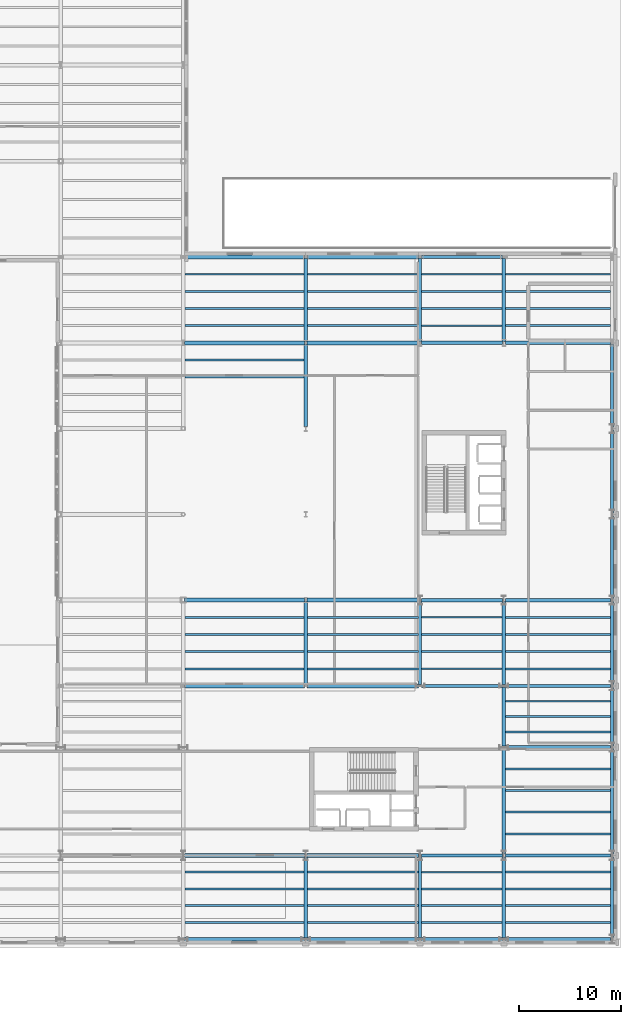
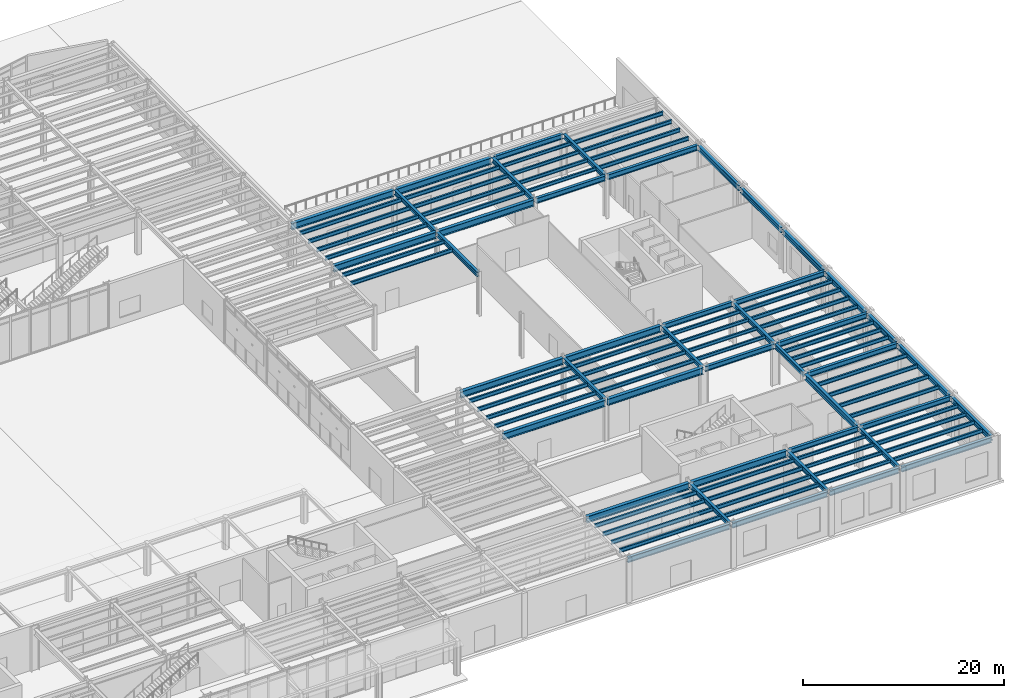
# One storey, part 60 of 94: 100 beams.
"""IFC4 building model written with IfcOpenShell, lengths in metres."""

from ifc_helpers import new_model, si_unit, direction, frame, origin, origin_2d, place, context, subcontext, project, spatial, i_section, extrude, material, material_profile, profile_set, type_object, element, save


model = new_model("IFC4")

# Units and contexts
model_context = context("Model", 3, precision=1e-05, world=origin(), true_north=direction((0.0, 1.0)))
body_context = subcontext(model_context, "Body", "Model", "MODEL_VIEW")
ifc_project = project(units=[si_unit("LENGTHUNIT", "METRE"), si_unit("AREAUNIT", "SQUARE_METRE"), si_unit("VOLUMEUNIT", "CUBIC_METRE"), si_unit("PLANEANGLEUNIT", "RADIAN"), si_unit("MASSUNIT", "GRAM", prefix="KILO")], contexts=[model_context])

# Site, building, storey
site_placement = place(None, origin())
site = spatial("IfcSite", under=ifc_project, at=site_placement, CompositionType="ELEMENT")
building_placement = place(site_placement, origin())
building = spatial("IfcBuilding", under=site, at=building_placement, Name="Sollismere Congress Hotel", CompositionType="ELEMENT")
storey_placement = place(building_placement, origin())
storey = spatial("IfcBuildingStorey", under=building, at=storey_placement, Name="L00", CompositionType="ELEMENT", Elevation=0.0)

# Beams
ifc_material = material(Name="Steel ASTM A992 Grade 50", Category="steel")
ifc_material_profile_1 = material_profile(ifc_material, i_section(OverallWidth=0.31494140625, OverallDepth=0.551025390625, WebThickness=0.01513671875, FlangeThickness=0.0244140625, at=origin_2d()), Name="W21X122")
ifc_profile_set_1 = profile_set([ifc_material_profile_1], Name="Steel ASTM A992 Grade 50")
beam_type_1 = type_object("IfcBeamType", Name="BM-G21H", PredefinedType="BEAM", material=ifc_profile_set_1)
beam_1_placement = place(storey_placement, frame((136.0, 0.139892578125, 4.839599609375), z_axis=(0.0, 1.0, 0.0), x_axis=(-1.0, 0.0, 0.0)))
element("IfcBeam", 1, at=beam_1_placement, inside=storey, type_object=beam_type_1, Name="Beam BM-L00-1297", PredefinedType="BEAM", context=body_context, shape_type="SweptSolid", body=[
    extrude(i_section(OverallWidth=0.31494140625, OverallDepth=0.551025390625, WebThickness=0.01513671875, FlangeThickness=0.0244140625, at=origin_2d()), origin(), (0.0, 0.0, 1.0), 7.920166015625),
])
for number, where, z_axis, x_axis, name in (
    (2, (136.0, 24.93994140625, 4.839599609375), (0.0, 1.0, 0.0), (-1.0, 0.0, 0.0), "Beam BM-L00-1298"),
    (3, (136.0, 50.139892578125, 4.839599609375), (0.0, 1.0, 0.0), (-1.0, 0.0, 0.0), "Beam BM-L00-1299"),
):
    element("IfcBeam", number, at=place(storey_placement, frame(where, z_axis=z_axis, x_axis=x_axis)), inside=storey, type_object=beam_type_1, Name=name, PredefinedType="BEAM", context=body_context, shape_type="SweptSolid", body=[
        extrude(i_section(OverallWidth=0.31494140625, OverallDepth=0.551025390625, WebThickness=0.01513671875, FlangeThickness=0.0244140625, at=origin_2d()), origin(), (0.0, 0.0, 1.0), 8.1201171875),
    ])
beam_2_placement = place(storey_placement, frame((136.0, 58.5400390625, 4.839599609375), z_axis=(0.0, 1.0, 0.0), x_axis=(-1.0, 0.0, 0.0)))
element("IfcBeam", 4, at=beam_2_placement, inside=storey, type_object=beam_type_1, Name="Beam BM-L00-1300", PredefinedType="BEAM", context=body_context, shape_type="SweptSolid", body=[
    extrude(i_section(OverallWidth=0.31494140625, OverallDepth=0.551025390625, WebThickness=0.01513671875, FlangeThickness=0.0244140625, at=origin_2d()), origin(), (0.0, 0.0, 1.0), 8.119873046875),
])
beam_3_placement = place(storey_placement, frame((147.199951171875, 0.139892578125, 4.839599609375), z_axis=(0.0, 1.0, 0.0), x_axis=(-1.0, 0.0, 0.0)))
element("IfcBeam", 5, at=beam_3_placement, inside=storey, type_object=beam_type_1, Name="Beam BM-L00-1301", PredefinedType="BEAM", context=body_context, shape_type="SweptSolid", body=[
    extrude(i_section(OverallWidth=0.31494140625, OverallDepth=0.551025390625, WebThickness=0.01513671875, FlangeThickness=0.0244140625, at=origin_2d()), origin(), (0.0, 0.0, 1.0), 7.920166015625),
])
beam_4_placement = place(storey_placement, frame((147.199951171875, 24.93994140625, 4.839599609375), z_axis=(0.0, 1.0, 0.0), x_axis=(-1.0, 0.0, 0.0)))
element("IfcBeam", 6, at=beam_4_placement, inside=storey, type_object=beam_type_1, Name="Beam BM-L00-1302", PredefinedType="BEAM", context=body_context, shape_type="SweptSolid", body=[
    extrude(i_section(OverallWidth=0.31494140625, OverallDepth=0.551025390625, WebThickness=0.01513671875, FlangeThickness=0.0244140625, at=origin_2d()), origin(), (0.0, 0.0, 1.0), 8.1201171875),
])
beam_5_placement = place(storey_placement, frame((147.199951171875, 58.5400390625, 4.839599609375), z_axis=(0.0, 1.0, 0.0), x_axis=(-1.0, 0.0, 0.0)))
element("IfcBeam", 7, at=beam_5_placement, inside=storey, type_object=beam_type_1, Name="Beam BM-L00-1303", PredefinedType="BEAM", context=body_context, shape_type="SweptSolid", body=[
    extrude(i_section(OverallWidth=0.31494140625, OverallDepth=0.551025390625, WebThickness=0.01513671875, FlangeThickness=0.0244140625, at=origin_2d()), origin(), (0.0, 0.0, 1.0), 8.119873046875),
])
beam_6_placement = place(storey_placement, frame((155.39990234375, 0.139892578125, 4.839599609375), z_axis=(0.0, 1.0, 0.0), x_axis=(-1.0, 0.0, 0.0)))
element("IfcBeam", 8, at=beam_6_placement, inside=storey, type_object=beam_type_1, Name="Beam BM-L00-1304", PredefinedType="BEAM", context=body_context, shape_type="SweptSolid", body=[
    extrude(i_section(OverallWidth=0.31494140625, OverallDepth=0.551025390625, WebThickness=0.01513671875, FlangeThickness=0.0244140625, at=origin_2d()), origin(), (0.0, 0.0, 1.0), 7.920166015625),
])
beam_7_placement = place(storey_placement, frame((155.39990234375, 18.93994140625, 4.839599609375), z_axis=(0.0, 1.0, 0.0), x_axis=(-1.0, 0.0, 0.0)))
element("IfcBeam", 9, at=beam_7_placement, inside=storey, type_object=beam_type_1, Name="Beam BM-L00-1306", PredefinedType="BEAM", context=body_context, shape_type="SweptSolid", body=[
    extrude(i_section(OverallWidth=0.31494140625, OverallDepth=0.551025390625, WebThickness=0.01513671875, FlangeThickness=0.0244140625, at=origin_2d()), origin(), (0.0, 0.0, 1.0), 5.719970703125),
])
beam_8_placement = place(storey_placement, frame((155.39990234375, 24.93994140625, 4.839599609375), z_axis=(0.0, 1.0, 0.0), x_axis=(-1.0, 0.0, 0.0)))
element("IfcBeam", 10, at=beam_8_placement, inside=storey, type_object=beam_type_1, Name="Beam BM-L00-1307", PredefinedType="BEAM", context=body_context, shape_type="SweptSolid", body=[
    extrude(i_section(OverallWidth=0.31494140625, OverallDepth=0.551025390625, WebThickness=0.01513671875, FlangeThickness=0.0244140625, at=origin_2d()), origin(), (0.0, 0.0, 1.0), 8.1201171875),
])
beam_9_placement = place(storey_placement, frame((155.39990234375, 58.5400390625, 4.839599609375), z_axis=(0.0, 1.0, 0.0), x_axis=(-1.0, 0.0, 0.0)))
element("IfcBeam", 11, at=beam_9_placement, inside=storey, type_object=beam_type_1, Name="Beam BM-L00-1308", PredefinedType="BEAM", context=body_context, shape_type="SweptSolid", body=[
    extrude(i_section(OverallWidth=0.31494140625, OverallDepth=0.551025390625, WebThickness=0.01513671875, FlangeThickness=0.0244140625, at=origin_2d()), origin(), (0.0, 0.0, 1.0), 8.119873046875),
])
ifc_material_profile_2 = material_profile(ifc_material, i_section(OverallWidth=0.324951171875, OverallDepth=0.612060546875, WebThickness=0.0126953125, FlangeThickness=0.01904296875, at=origin_2d()), Name="W24X104")
ifc_profile_set_2 = profile_set([ifc_material_profile_2], Name="Steel ASTM A992 Grade 50")
beam_type_2 = type_object("IfcBeamType", Name="BM-G24", PredefinedType="BEAM", material=ifc_profile_set_2)
beam_10_placement = place(storey_placement, frame((147.340087890625, 8.199951171875, 4.80908203125), z_axis=(1.0, 0.0, 0.0), x_axis=(0.0, 1.0, 0.0)))
element("IfcBeam", 12, at=beam_10_placement, inside=storey, type_object=beam_type_2, Name="Beam BM-L00-1150", PredefinedType="BEAM", context=body_context, shape_type="SweptSolid", body=[
    extrude(i_section(OverallWidth=0.324951171875, OverallDepth=0.612060546875, WebThickness=0.0126953125, FlangeThickness=0.01904296875, at=origin_2d()), origin(), (0.0, 0.0, 1.0), 7.919921875),
])
for number, where, z_axis, x_axis, name in (
    (13, (155.5400390625, 8.199951171875, 4.80908203125), (1.0, 0.0, 0.0), (0.0, 1.0, 0.0), "Beam BM-L00-1151"),
    (14, (155.5400390625, 18.800048828125, 4.80908203125), (1.0, 0.0, 0.0), (0.0, 1.0, 0.0), "Beam BM-L00-1156"),
):
    element("IfcBeam", number, at=place(storey_placement, frame(where, z_axis=z_axis, x_axis=x_axis)), inside=storey, type_object=beam_type_2, Name=name, PredefinedType="BEAM", context=body_context, shape_type="SweptSolid", body=[
        extrude(i_section(OverallWidth=0.324951171875, OverallDepth=0.612060546875, WebThickness=0.0126953125, FlangeThickness=0.01904296875, at=origin_2d()), origin(), (0.0, 0.0, 1.0), 10.320068359375),
    ])
beam_11_placement = place(storey_placement, frame((147.340087890625, 24.800048828125, 4.80908203125), z_axis=(1.0, 0.0, 0.0), x_axis=(0.0, 1.0, 0.0)))
element("IfcBeam", 15, at=beam_11_placement, inside=storey, type_object=beam_type_2, Name="Beam BM-L00-1163", PredefinedType="BEAM", context=body_context, shape_type="SweptSolid", body=[
    extrude(i_section(OverallWidth=0.324951171875, OverallDepth=0.612060546875, WebThickness=0.0126953125, FlangeThickness=0.01904296875, at=origin_2d()), origin(), (0.0, 0.0, 1.0), 7.919921875),
])
beam_12_placement = place(storey_placement, frame((155.5400390625, 24.800048828125, 4.80908203125), z_axis=(1.0, 0.0, 0.0), x_axis=(0.0, 1.0, 0.0)))
element("IfcBeam", 16, at=beam_12_placement, inside=storey, type_object=beam_type_2, Name="Beam BM-L00-1164", PredefinedType="BEAM", context=body_context, shape_type="SweptSolid", body=[
    extrude(i_section(OverallWidth=0.324951171875, OverallDepth=0.612060546875, WebThickness=0.0126953125, FlangeThickness=0.01904296875, at=origin_2d()), origin(), (0.0, 0.0, 1.0), 10.320068359375),
])
beam_13_placement = place(storey_placement, frame((147.340087890625, 33.199951171875, 4.80908203125), z_axis=(1.0, 0.0, 0.0), x_axis=(0.0, 1.0, 0.0)))
element("IfcBeam", 17, at=beam_13_placement, inside=storey, type_object=beam_type_2, Name="Beam BM-L00-1171", PredefinedType="BEAM", context=body_context, shape_type="SweptSolid", body=[
    extrude(i_section(OverallWidth=0.324951171875, OverallDepth=0.612060546875, WebThickness=0.0126953125, FlangeThickness=0.01904296875, at=origin_2d()), origin(), (0.0, 0.0, 1.0), 7.919921875),
])
beam_14_placement = place(storey_placement, frame((155.5400390625, 33.199951171875, 4.80908203125), z_axis=(1.0, 0.0, 0.0), x_axis=(0.0, 1.0, 0.0)))
element("IfcBeam", 18, at=beam_14_placement, inside=storey, type_object=beam_type_2, Name="Beam BM-L00-1172", PredefinedType="BEAM", context=body_context, shape_type="SweptSolid", body=[
    extrude(i_section(OverallWidth=0.324951171875, OverallDepth=0.612060546875, WebThickness=0.0126953125, FlangeThickness=0.01904296875, at=origin_2d()), origin(), (0.0, 0.0, 1.0), 10.320068359375),
])
beam_15_placement = place(storey_placement, frame((147.340087890625, 58.39990234375, 4.80908203125), z_axis=(1.0, 0.0, 0.0), x_axis=(0.0, 1.0, 0.0)))
element("IfcBeam", 19, at=beam_15_placement, inside=storey, type_object=beam_type_2, Name="Beam BM-L00-1185", PredefinedType="BEAM", context=body_context, shape_type="SweptSolid", body=[
    extrude(i_section(OverallWidth=0.324951171875, OverallDepth=0.612060546875, WebThickness=0.0126953125, FlangeThickness=0.01904296875, at=origin_2d()), origin(), (0.0, 0.0, 1.0), 7.919921875),
])
beam_16_placement = place(storey_placement, frame((155.5400390625, 58.39990234375, 4.80908203125), z_axis=(1.0, 0.0, 0.0), x_axis=(0.0, 1.0, 0.0)))
element("IfcBeam", 20, at=beam_16_placement, inside=storey, type_object=beam_type_2, Name="Beam BM-L00-1186", PredefinedType="BEAM", context=body_context, shape_type="SweptSolid", body=[
    extrude(i_section(OverallWidth=0.324951171875, OverallDepth=0.612060546875, WebThickness=0.0126953125, FlangeThickness=0.01904296875, at=origin_2d()), origin(), (0.0, 0.0, 1.0), 10.320068359375),
])
beam_17_placement = place(storey_placement, frame((147.340087890625, 66.800048828125, 4.80908203125), z_axis=(1.0, 0.0, 0.0), x_axis=(0.0, 1.0, 0.0)))
element("IfcBeam", 21, at=beam_17_placement, inside=storey, type_object=beam_type_2, Name="Beam BM-L00-1198", PredefinedType="BEAM", context=body_context, shape_type="SweptSolid", body=[
    extrude(i_section(OverallWidth=0.324951171875, OverallDepth=0.612060546875, WebThickness=0.0126953125, FlangeThickness=0.01904296875, at=origin_2d()), origin(), (0.0, 0.0, 1.0), 7.919921875),
])
ifc_material_profile_3 = material_profile(ifc_material, i_section(OverallWidth=0.35595703125, OverallDepth=0.696044921875, WebThickness=0.015380859375, FlangeThickness=0.025146484375, at=origin_2d()), Name="W27X146")
ifc_profile_set_3 = profile_set([ifc_material_profile_3], Name="Steel ASTM A992 Grade 50")
beam_type_3 = type_object("IfcBeamType", Name="BM-G27", PredefinedType="BEAM", material=ifc_profile_set_3)
beam_18_placement = place(storey_placement, frame((155.39990234375, 8.340087890625, 4.76708984375), z_axis=(0.0, 1.0, 0.0), x_axis=(-1.0, 0.0, 0.0)))
element("IfcBeam", 22, at=beam_18_placement, inside=storey, type_object=beam_type_3, Name="Beam BM-L00-1305", PredefinedType="BEAM", context=body_context, shape_type="SweptSolid", body=[
    extrude(i_section(OverallWidth=0.35595703125, OverallDepth=0.696044921875, WebThickness=0.015380859375, FlangeThickness=0.025146484375, at=origin_2d()), origin(), (0.0, 0.0, 1.0), 10.31982421875),
])
ifc_material_profile_4 = material_profile(ifc_material, i_section(OverallWidth=0.384033203125, OverallDepth=0.787109375, WebThickness=0.019775390625, FlangeThickness=0.033447265625, at=origin_2d()), Name="W30X211")
ifc_profile_set_4 = profile_set([ifc_material_profile_4], Name="Steel ASTM A992 Grade 50")
beam_type_4 = type_object("IfcBeamType", Name="BM-G30", PredefinedType="BEAM", material=ifc_profile_set_4)
beam_19_placement = place(storey_placement, frame((124.139892578125, 8.199951171875, 4.721435546875), z_axis=(1.0, 0.0, 0.0), x_axis=(0.0, 1.0, 0.0)))
element("IfcBeam", 23, at=beam_19_placement, inside=storey, type_object=beam_type_4, Name="Beam BM-L00-1148", PredefinedType="BEAM", context=body_context, shape_type="SweptSolid", body=[
    extrude(i_section(OverallWidth=0.384033203125, OverallDepth=0.787109375, WebThickness=0.019775390625, FlangeThickness=0.033447265625, at=origin_2d()), origin(), (0.0, 0.0, 1.0), 11.72021484375),
])
beam_20_placement = place(storey_placement, frame((136.139892578125, 8.199951171875, 4.721435546875), z_axis=(1.0, 0.0, 0.0), x_axis=(0.0, 1.0, 0.0)))
element("IfcBeam", 24, at=beam_20_placement, inside=storey, type_object=beam_type_4, Name="Beam BM-L00-1149", PredefinedType="BEAM", context=body_context, shape_type="SweptSolid", body=[
    extrude(i_section(OverallWidth=0.384033203125, OverallDepth=0.787109375, WebThickness=0.019775390625, FlangeThickness=0.033447265625, at=origin_2d()), origin(), (0.0, 0.0, 1.0), 10.920166015625),
])
beam_21_placement = place(storey_placement, frame((124.139892578125, 24.800048828125, 4.721435546875), z_axis=(1.0, 0.0, 0.0), x_axis=(0.0, 1.0, 0.0)))
element("IfcBeam", 25, at=beam_21_placement, inside=storey, type_object=beam_type_4, Name="Beam BM-L00-1161", PredefinedType="BEAM", context=body_context, shape_type="SweptSolid", body=[
    extrude(i_section(OverallWidth=0.384033203125, OverallDepth=0.787109375, WebThickness=0.019775390625, FlangeThickness=0.033447265625, at=origin_2d()), origin(), (0.0, 0.0, 1.0), 11.72021484375),
])
beam_22_placement = place(storey_placement, frame((136.139892578125, 24.800048828125, 4.721435546875), z_axis=(1.0, 0.0, 0.0), x_axis=(0.0, 1.0, 0.0)))
element("IfcBeam", 26, at=beam_22_placement, inside=storey, type_object=beam_type_4, Name="Beam BM-L00-1162", PredefinedType="BEAM", context=body_context, shape_type="SweptSolid", body=[
    extrude(i_section(OverallWidth=0.384033203125, OverallDepth=0.787109375, WebThickness=0.019775390625, FlangeThickness=0.033447265625, at=origin_2d()), origin(), (0.0, 0.0, 1.0), 10.920166015625),
])
beam_23_placement = place(storey_placement, frame((124.139892578125, 33.199951171875, 4.721435546875), z_axis=(1.0, 0.0, 0.0), x_axis=(0.0, 1.0, 0.0)))
element("IfcBeam", 27, at=beam_23_placement, inside=storey, type_object=beam_type_4, Name="Beam BM-L00-1169", PredefinedType="BEAM", context=body_context, shape_type="SweptSolid", body=[
    extrude(i_section(OverallWidth=0.384033203125, OverallDepth=0.787109375, WebThickness=0.019775390625, FlangeThickness=0.033447265625, at=origin_2d()), origin(), (0.0, 0.0, 1.0), 11.72021484375),
])
beam_24_placement = place(storey_placement, frame((136.139892578125, 33.199951171875, 4.721435546875), z_axis=(1.0, 0.0, 0.0), x_axis=(0.0, 1.0, 0.0)))
element("IfcBeam", 28, at=beam_24_placement, inside=storey, type_object=beam_type_4, Name="Beam BM-L00-1170", PredefinedType="BEAM", context=body_context, shape_type="SweptSolid", body=[
    extrude(i_section(OverallWidth=0.384033203125, OverallDepth=0.787109375, WebThickness=0.019775390625, FlangeThickness=0.033447265625, at=origin_2d()), origin(), (0.0, 0.0, 1.0), 10.920166015625),
])
beam_25_placement = place(storey_placement, frame((124.139892578125, 58.39990234375, 4.721435546875), z_axis=(1.0, 0.0, 0.0), x_axis=(0.0, 1.0, 0.0)))
element("IfcBeam", 29, at=beam_25_placement, inside=storey, type_object=beam_type_4, Name="Beam BM-L00-1183", PredefinedType="BEAM", context=body_context, shape_type="SweptSolid", body=[
    extrude(i_section(OverallWidth=0.384033203125, OverallDepth=0.787109375, WebThickness=0.019775390625, FlangeThickness=0.033447265625, at=origin_2d()), origin(), (0.0, 0.0, 1.0), 11.72021484375),
])
beam_26_placement = place(storey_placement, frame((136.139892578125, 58.39990234375, 4.721435546875), z_axis=(1.0, 0.0, 0.0), x_axis=(0.0, 1.0, 0.0)))
element("IfcBeam", 30, at=beam_26_placement, inside=storey, type_object=beam_type_4, Name="Beam BM-L00-1184", PredefinedType="BEAM", context=body_context, shape_type="SweptSolid", body=[
    extrude(i_section(OverallWidth=0.384033203125, OverallDepth=0.787109375, WebThickness=0.019775390625, FlangeThickness=0.033447265625, at=origin_2d()), origin(), (0.0, 0.0, 1.0), 10.920166015625),
])
beam_27_placement = place(storey_placement, frame((124.139892578125, 66.800048828125, 4.721435546875), z_axis=(1.0, 0.0, 0.0), x_axis=(0.0, 1.0, 0.0)))
element("IfcBeam", 31, at=beam_27_placement, inside=storey, type_object=beam_type_4, Name="Beam BM-L00-1196", PredefinedType="BEAM", context=body_context, shape_type="SweptSolid", body=[
    extrude(i_section(OverallWidth=0.384033203125, OverallDepth=0.787109375, WebThickness=0.019775390625, FlangeThickness=0.033447265625, at=origin_2d()), origin(), (0.0, 0.0, 1.0), 11.72021484375),
])
beam_28_placement = place(storey_placement, frame((136.139892578125, 66.800048828125, 4.721435546875), z_axis=(1.0, 0.0, 0.0), x_axis=(0.0, 1.0, 0.0)))
element("IfcBeam", 32, at=beam_28_placement, inside=storey, type_object=beam_type_4, Name="Beam BM-L00-1197", PredefinedType="BEAM", context=body_context, shape_type="SweptSolid", body=[
    extrude(i_section(OverallWidth=0.384033203125, OverallDepth=0.787109375, WebThickness=0.019775390625, FlangeThickness=0.033447265625, at=origin_2d()), origin(), (0.0, 0.0, 1.0), 10.920166015625),
])
ifc_material_profile_5 = material_profile(ifc_material, i_section(OverallWidth=0.180908203125, OverallDepth=0.4169921875, WebThickness=0.010986328125, FlangeThickness=0.018310546875, at=origin_2d()), Name="W16X57")
ifc_profile_set_5 = profile_set([ifc_material_profile_5], Name="Steel ASTM A992 Grade 50")
beam_type_5 = type_object("IfcBeamType", Name="BM-J16", PredefinedType="JOIST", material=ifc_profile_set_5)
for number, where, z_axis, x_axis, name in (
    (33, (147.357421875, 1.639892578125, 4.906494140625), (1.0, 0.0, 0.0), (0.0, 1.0, 0.0), "Beam BM-L00-1491"),
    (34, (147.357421875, 3.280029296875, 4.906494140625), (1.0, 0.0, 0.0), (0.0, 1.0, 0.0), "Beam BM-L00-1492"),
    (35, (147.357421875, 4.919921875, 4.906494140625), (1.0, 0.0, 0.0), (0.0, 1.0, 0.0), "Beam BM-L00-1493"),
    (36, (147.357421875, 6.56005859375, 4.906494140625), (1.0, 0.0, 0.0), (0.0, 1.0, 0.0), "Beam BM-L00-1494"),
    (37, (147.357421875, 26.47998046875, 4.906494140625), (1.0, 0.0, 0.0), (0.0, 1.0, 0.0), "Beam BM-L00-1495"),
    (38, (147.357421875, 28.159912109375, 4.906494140625), (1.0, 0.0, 0.0), (0.0, 1.0, 0.0), "Beam BM-L00-1496"),
    (39, (147.357421875, 29.840087890625, 4.906494140625), (1.0, 0.0, 0.0), (0.0, 1.0, 0.0), "Beam BM-L00-1497"),
    (40, (147.357421875, 31.52001953125, 4.906494140625), (1.0, 0.0, 0.0), (0.0, 1.0, 0.0), "Beam BM-L00-1498"),
    (41, (147.357421875, 60.080078125, 4.906494140625), (1.0, 0.0, 0.0), (0.0, 1.0, 0.0), "Beam BM-L00-1499"),
    (42, (147.357421875, 61.760009765625, 4.906494140625), (1.0, 0.0, 0.0), (0.0, 1.0, 0.0), "Beam BM-L00-1500"),
    (43, (147.357421875, 63.43994140625, 4.906494140625), (1.0, 0.0, 0.0), (0.0, 1.0, 0.0), "Beam BM-L00-1501"),
    (44, (147.357421875, 65.1201171875, 4.906494140625), (1.0, 0.0, 0.0), (0.0, 1.0, 0.0), "Beam BM-L00-1502"),
):
    element("IfcBeam", number, at=place(storey_placement, frame(where, z_axis=z_axis, x_axis=x_axis)), inside=storey, type_object=beam_type_5, Name=name, PredefinedType="JOIST", context=body_context, shape_type="SweptSolid", body=[
        extrude(i_section(OverallWidth=0.180908203125, OverallDepth=0.4169921875, WebThickness=0.010986328125, FlangeThickness=0.018310546875, at=origin_2d()), origin(), (0.0, 0.0, 1.0), 7.885009765625),
    ])
ifc_material_profile_6 = material_profile(ifc_material, i_section(OverallWidth=0.193115234375, OverallDepth=0.467041015625, WebThickness=0.011474609375, FlangeThickness=0.01904296875, at=origin_2d()), Name="W18X65")
ifc_profile_set_6 = profile_set([ifc_material_profile_6], Name="Steel ASTM A992 Grade 50")
beam_type_6 = type_object("IfcBeamType", Name="BM-J18", PredefinedType="JOIST", material=ifc_profile_set_6)
for number, where, z_axis, x_axis, name in (
    (45, (124.157470703125, 1.639892578125, 4.881591796875), (1.0, 0.0, 0.0), (0.0, 1.0, 0.0), "Beam BM-L00-1465"),
    (46, (124.157470703125, 3.280029296875, 4.881591796875), (1.0, 0.0, 0.0), (0.0, 1.0, 0.0), "Beam BM-L00-1466"),
    (47, (124.157470703125, 4.919921875, 4.881591796875), (1.0, 0.0, 0.0), (0.0, 1.0, 0.0), "Beam BM-L00-1467"),
    (48, (124.157470703125, 6.56005859375, 4.881591796875), (1.0, 0.0, 0.0), (0.0, 1.0, 0.0), "Beam BM-L00-1468"),
    (49, (124.157470703125, 26.47998046875, 4.881591796875), (1.0, 0.0, 0.0), (0.0, 1.0, 0.0), "Beam BM-L00-1469"),
    (50, (124.157470703125, 28.159912109375, 4.881591796875), (1.0, 0.0, 0.0), (0.0, 1.0, 0.0), "Beam BM-L00-1470"),
    (51, (124.157470703125, 29.840087890625, 4.881591796875), (1.0, 0.0, 0.0), (0.0, 1.0, 0.0), "Beam BM-L00-1471"),
    (52, (124.157470703125, 31.52001953125, 4.881591796875), (1.0, 0.0, 0.0), (0.0, 1.0, 0.0), "Beam BM-L00-1472"),
    (53, (124.157470703125, 55.0400390625, 4.881591796875), (1.0, 0.0, 0.0), (0.0, 1.0, 0.0), "Beam BM-L00-1473"),
    (54, (124.157470703125, 56.719970703125, 4.881591796875), (1.0, 0.0, 0.0), (0.0, 1.0, 0.0), "Beam BM-L00-1474"),
    (55, (124.157470703125, 60.080078125, 4.881591796875), (1.0, 0.0, 0.0), (0.0, 1.0, 0.0), "Beam BM-L00-1475"),
    (56, (124.157470703125, 61.760009765625, 4.881591796875), (1.0, 0.0, 0.0), (0.0, 1.0, 0.0), "Beam BM-L00-1476"),
    (57, (124.157470703125, 63.43994140625, 4.881591796875), (1.0, 0.0, 0.0), (0.0, 1.0, 0.0), "Beam BM-L00-1477"),
    (58, (124.157470703125, 65.1201171875, 4.881591796875), (1.0, 0.0, 0.0), (0.0, 1.0, 0.0), "Beam BM-L00-1478"),
):
    element("IfcBeam", number, at=place(storey_placement, frame(where, z_axis=z_axis, x_axis=x_axis)), inside=storey, type_object=beam_type_6, Name=name, PredefinedType="JOIST", context=body_context, shape_type="SweptSolid", body=[
        extrude(i_section(OverallWidth=0.193115234375, OverallDepth=0.467041015625, WebThickness=0.011474609375, FlangeThickness=0.01904296875, at=origin_2d()), origin(), (0.0, 0.0, 1.0), 11.68505859375),
    ])
for number, where, z_axis, x_axis, name in (
    (59, (136.157470703125, 1.639892578125, 4.881591796875), (1.0, 0.0, 0.0), (0.0, 1.0, 0.0), "Beam BM-L00-1479"),
    (60, (136.157470703125, 3.280029296875, 4.881591796875), (1.0, 0.0, 0.0), (0.0, 1.0, 0.0), "Beam BM-L00-1480"),
    (61, (136.157470703125, 4.919921875, 4.881591796875), (1.0, 0.0, 0.0), (0.0, 1.0, 0.0), "Beam BM-L00-1481"),
    (62, (136.157470703125, 6.56005859375, 4.881591796875), (1.0, 0.0, 0.0), (0.0, 1.0, 0.0), "Beam BM-L00-1482"),
    (63, (136.157470703125, 26.47998046875, 4.881591796875), (1.0, 0.0, 0.0), (0.0, 1.0, 0.0), "Beam BM-L00-1483"),
    (64, (136.157470703125, 28.159912109375, 4.881591796875), (1.0, 0.0, 0.0), (0.0, 1.0, 0.0), "Beam BM-L00-1484"),
    (65, (136.157470703125, 29.840087890625, 4.881591796875), (1.0, 0.0, 0.0), (0.0, 1.0, 0.0), "Beam BM-L00-1485"),
    (66, (136.157470703125, 31.52001953125, 4.881591796875), (1.0, 0.0, 0.0), (0.0, 1.0, 0.0), "Beam BM-L00-1486"),
    (67, (136.157470703125, 60.080078125, 4.881591796875), (1.0, 0.0, 0.0), (0.0, 1.0, 0.0), "Beam BM-L00-1487"),
    (68, (136.157470703125, 61.760009765625, 4.881591796875), (1.0, 0.0, 0.0), (0.0, 1.0, 0.0), "Beam BM-L00-1488"),
    (69, (136.157470703125, 63.43994140625, 4.881591796875), (1.0, 0.0, 0.0), (0.0, 1.0, 0.0), "Beam BM-L00-1489"),
    (70, (136.157470703125, 65.1201171875, 4.881591796875), (1.0, 0.0, 0.0), (0.0, 1.0, 0.0), "Beam BM-L00-1490"),
):
    element("IfcBeam", number, at=place(storey_placement, frame(where, z_axis=z_axis, x_axis=x_axis)), inside=storey, type_object=beam_type_6, Name=name, PredefinedType="JOIST", context=body_context, shape_type="SweptSolid", body=[
        extrude(i_section(OverallWidth=0.193115234375, OverallDepth=0.467041015625, WebThickness=0.011474609375, FlangeThickness=0.01904296875, at=origin_2d()), origin(), (0.0, 0.0, 1.0), 10.885009765625),
    ])
for number, where, z_axis, x_axis, name in (
    (71, (155.5576171875, 1.639892578125, 4.881591796875), (1.0, 0.0, 0.0), (0.0, 1.0, 0.0), "Beam BM-L00-1503"),
    (72, (155.5576171875, 3.280029296875, 4.881591796875), (1.0, 0.0, 0.0), (0.0, 1.0, 0.0), "Beam BM-L00-1504"),
    (73, (155.5576171875, 4.919921875, 4.881591796875), (1.0, 0.0, 0.0), (0.0, 1.0, 0.0), "Beam BM-L00-1505"),
    (74, (155.5576171875, 6.56005859375, 4.881591796875), (1.0, 0.0, 0.0), (0.0, 1.0, 0.0), "Beam BM-L00-1506"),
):
    element("IfcBeam", number, at=place(storey_placement, frame(where, z_axis=z_axis, x_axis=x_axis)), inside=storey, type_object=beam_type_6, Name=name, PredefinedType="JOIST", context=body_context, shape_type="SweptSolid", body=[
        extrude(i_section(OverallWidth=0.193115234375, OverallDepth=0.467041015625, WebThickness=0.011474609375, FlangeThickness=0.01904296875, at=origin_2d()), origin(), (0.0, 0.0, 1.0), 10.27734375),
    ])
for number, where, z_axis, x_axis, name in (
    (75, (155.577880859375, 10.320068359375, 4.881591796875), (1.0, 0.0, 0.0), (0.0, 1.0, 0.0), "Beam BM-L00-1507"),
    (76, (155.577880859375, 12.43994140625, 4.881591796875), (1.0, 0.0, 0.0), (0.0, 1.0, 0.0), "Beam BM-L00-1508"),
    (77, (155.577880859375, 14.56005859375, 4.881591796875), (1.0, 0.0, 0.0), (0.0, 1.0, 0.0), "Beam BM-L00-1509"),
    (78, (155.577880859375, 16.679931640625, 4.881591796875), (1.0, 0.0, 0.0), (0.0, 1.0, 0.0), "Beam BM-L00-1510"),
):
    element("IfcBeam", number, at=place(storey_placement, frame(where, z_axis=z_axis, x_axis=x_axis)), inside=storey, type_object=beam_type_6, Name=name, PredefinedType="JOIST", context=body_context, shape_type="SweptSolid", body=[
        extrude(i_section(OverallWidth=0.193115234375, OverallDepth=0.467041015625, WebThickness=0.011474609375, FlangeThickness=0.01904296875, at=origin_2d()), origin(), (0.0, 0.0, 1.0), 10.257080078125),
    ])
for number, where, z_axis, x_axis, name in (
    (79, (155.5576171875, 20.300048828125, 4.881591796875), (1.0, 0.0, 0.0), (0.0, 1.0, 0.0), "Beam BM-L00-1511"),
    (80, (155.5576171875, 21.800048828125, 4.881591796875), (1.0, 0.0, 0.0), (0.0, 1.0, 0.0), "Beam BM-L00-1512"),
    (81, (155.5576171875, 23.300048828125, 4.881591796875), (1.0, 0.0, 0.0), (0.0, 1.0, 0.0), "Beam BM-L00-1513"),
    (82, (155.5576171875, 26.47998046875, 4.881591796875), (1.0, 0.0, 0.0), (0.0, 1.0, 0.0), "Beam BM-L00-1514"),
    (83, (155.5576171875, 28.159912109375, 4.881591796875), (1.0, 0.0, 0.0), (0.0, 1.0, 0.0), "Beam BM-L00-1515"),
    (84, (155.5576171875, 29.840087890625, 4.881591796875), (1.0, 0.0, 0.0), (0.0, 1.0, 0.0), "Beam BM-L00-1516"),
    (85, (155.5576171875, 31.52001953125, 4.881591796875), (1.0, 0.0, 0.0), (0.0, 1.0, 0.0), "Beam BM-L00-1517"),
    (86, (155.5576171875, 60.080078125, 4.881591796875), (1.0, 0.0, 0.0), (0.0, 1.0, 0.0), "Beam BM-L00-1518"),
    (87, (155.5576171875, 61.760009765625, 4.881591796875), (1.0, 0.0, 0.0), (0.0, 1.0, 0.0), "Beam BM-L00-1519"),
    (88, (155.5576171875, 63.43994140625, 4.881591796875), (1.0, 0.0, 0.0), (0.0, 1.0, 0.0), "Beam BM-L00-1520"),
    (89, (155.5576171875, 65.1201171875, 4.881591796875), (1.0, 0.0, 0.0), (0.0, 1.0, 0.0), "Beam BM-L00-1521"),
):
    element("IfcBeam", number, at=place(storey_placement, frame(where, z_axis=z_axis, x_axis=x_axis)), inside=storey, type_object=beam_type_6, Name=name, PredefinedType="JOIST", context=body_context, shape_type="SweptSolid", body=[
        extrude(i_section(OverallWidth=0.193115234375, OverallDepth=0.467041015625, WebThickness=0.011474609375, FlangeThickness=0.01904296875, at=origin_2d()), origin(), (0.0, 0.0, 1.0), 10.27734375),
    ])
ifc_material_profile_7 = material_profile(ifc_material, i_section(OverallWidth=0.330078125, OverallDepth=0.635009765625, WebThickness=0.017822265625, FlangeThickness=0.031005859375, at=origin_2d()), Name="W24X162")
ifc_profile_set_7 = profile_set([ifc_material_profile_7], Name="Steel ASTM A992 Grade 50")
beam_type_7 = type_object("IfcBeamType", Name="BM-SP24E", PredefinedType="SPANDREL", material=ifc_profile_set_7)
beam_29_placement = place(storey_placement, frame((124.139892578125, 0.0, 4.797607421875), z_axis=(1.0, 0.0, 0.0), x_axis=(0.0, 1.0, 0.0)))
element("IfcBeam", 90, at=beam_29_placement, inside=storey, type_object=beam_type_7, Name="Beam BM-L00-1134", PredefinedType="SPANDREL", context=body_context, shape_type="SweptSolid", body=[
    extrude(i_section(OverallWidth=0.330078125, OverallDepth=0.635009765625, WebThickness=0.017822265625, FlangeThickness=0.031005859375, at=origin_2d()), origin(), (0.0, 0.0, 1.0), 11.72021484375),
])
beam_30_placement = place(storey_placement, frame((136.139892578125, 0.0, 4.797607421875), z_axis=(1.0, 0.0, 0.0), x_axis=(0.0, 1.0, 0.0)))
element("IfcBeam", 91, at=beam_30_placement, inside=storey, type_object=beam_type_7, Name="Beam BM-L00-1135", PredefinedType="SPANDREL", context=body_context, shape_type="SweptSolid", body=[
    extrude(i_section(OverallWidth=0.330078125, OverallDepth=0.635009765625, WebThickness=0.017822265625, FlangeThickness=0.031005859375, at=origin_2d()), origin(), (0.0, 0.0, 1.0), 10.920166015625),
])
beam_31_placement = place(storey_placement, frame((147.340087890625, 0.0, 4.797607421875), z_axis=(1.0, 0.0, 0.0), x_axis=(0.0, 1.0, 0.0)))
element("IfcBeam", 92, at=beam_31_placement, inside=storey, type_object=beam_type_7, Name="Beam BM-L00-1136", PredefinedType="SPANDREL", context=body_context, shape_type="SweptSolid", body=[
    extrude(i_section(OverallWidth=0.330078125, OverallDepth=0.635009765625, WebThickness=0.017822265625, FlangeThickness=0.031005859375, at=origin_2d()), origin(), (0.0, 0.0, 1.0), 7.919921875),
])
beam_32_placement = place(storey_placement, frame((155.5400390625, 0.0, 4.797607421875), z_axis=(1.0, 0.0, 0.0), x_axis=(0.0, 1.0, 0.0)))
element("IfcBeam", 93, at=beam_32_placement, inside=storey, type_object=beam_type_7, Name="Beam BM-L00-1137", PredefinedType="SPANDREL", context=body_context, shape_type="SweptSolid", body=[
    extrude(i_section(OverallWidth=0.330078125, OverallDepth=0.635009765625, WebThickness=0.017822265625, FlangeThickness=0.031005859375, at=origin_2d()), origin(), (0.0, 0.0, 1.0), 10.320068359375),
])
beam_33_placement = place(storey_placement, frame((166.0, 0.139892578125, 4.797607421875), z_axis=(0.0, 1.0, 0.0), x_axis=(-1.0, 0.0, 0.0)))
element("IfcBeam", 94, at=beam_33_placement, inside=storey, type_object=beam_type_7, Name="Beam BM-L00-1309", PredefinedType="SPANDREL", context=body_context, shape_type="SweptSolid", body=[
    extrude(i_section(OverallWidth=0.330078125, OverallDepth=0.635009765625, WebThickness=0.017822265625, FlangeThickness=0.031005859375, at=origin_2d()), origin(), (0.0, 0.0, 1.0), 7.920166015625),
])
beam_34_placement = place(storey_placement, frame((166.0, 8.340087890625, 4.797607421875), z_axis=(0.0, 1.0, 0.0), x_axis=(-1.0, 0.0, 0.0)))
element("IfcBeam", 95, at=beam_34_placement, inside=storey, type_object=beam_type_7, Name="Beam BM-L00-1310", PredefinedType="SPANDREL", context=body_context, shape_type="SweptSolid", body=[
    extrude(i_section(OverallWidth=0.330078125, OverallDepth=0.635009765625, WebThickness=0.017822265625, FlangeThickness=0.031005859375, at=origin_2d()), origin(), (0.0, 0.0, 1.0), 10.31982421875),
])
beam_35_placement = place(storey_placement, frame((166.0, 18.93994140625, 4.797607421875), z_axis=(0.0, 1.0, 0.0), x_axis=(-1.0, 0.0, 0.0)))
element("IfcBeam", 96, at=beam_35_placement, inside=storey, type_object=beam_type_7, Name="Beam BM-L00-1311", PredefinedType="SPANDREL", context=body_context, shape_type="SweptSolid", body=[
    extrude(i_section(OverallWidth=0.330078125, OverallDepth=0.635009765625, WebThickness=0.017822265625, FlangeThickness=0.031005859375, at=origin_2d()), origin(), (0.0, 0.0, 1.0), 5.719970703125),
])
beam_36_placement = place(storey_placement, frame((166.0, 24.93994140625, 4.797607421875), z_axis=(0.0, 1.0, 0.0), x_axis=(-1.0, 0.0, 0.0)))
element("IfcBeam", 97, at=beam_36_placement, inside=storey, type_object=beam_type_7, Name="Beam BM-L00-1312", PredefinedType="SPANDREL", context=body_context, shape_type="SweptSolid", body=[
    extrude(i_section(OverallWidth=0.330078125, OverallDepth=0.635009765625, WebThickness=0.017822265625, FlangeThickness=0.031005859375, at=origin_2d()), origin(), (0.0, 0.0, 1.0), 8.1201171875),
])
beam_37_placement = place(storey_placement, frame((166.0, 33.340087890625, 4.797607421875), z_axis=(0.0, 1.0, 0.0), x_axis=(-1.0, 0.0, 0.0)))
element("IfcBeam", 98, at=beam_37_placement, inside=storey, type_object=beam_type_7, Name="Beam BM-L00-1313", PredefinedType="SPANDREL", context=body_context, shape_type="SweptSolid", body=[
    extrude(i_section(OverallWidth=0.330078125, OverallDepth=0.635009765625, WebThickness=0.017822265625, FlangeThickness=0.031005859375, at=origin_2d()), origin(), (0.0, 0.0, 1.0), 8.119873046875),
])
for number, where, z_axis, x_axis, name in (
    (99, (166.0, 41.739990234375, 4.797607421875), (0.0, 1.0, 0.0), (-1.0, 0.0, 0.0), "Beam BM-L00-1314"),
    (100, (166.0, 50.139892578125, 4.797607421875), (0.0, 1.0, 0.0), (-1.0, 0.0, 0.0), "Beam BM-L00-1315"),
):
    element("IfcBeam", number, at=place(storey_placement, frame(where, z_axis=z_axis, x_axis=x_axis)), inside=storey, type_object=beam_type_7, Name=name, PredefinedType="SPANDREL", context=body_context, shape_type="SweptSolid", body=[
        extrude(i_section(OverallWidth=0.330078125, OverallDepth=0.635009765625, WebThickness=0.017822265625, FlangeThickness=0.031005859375, at=origin_2d()), origin(), (0.0, 0.0, 1.0), 8.1201171875),
    ])

save(model, "model.ifc")
